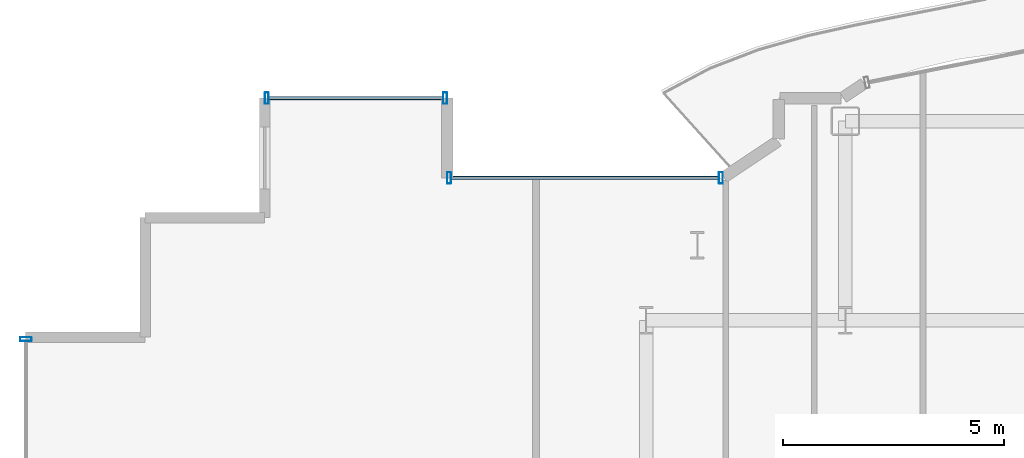
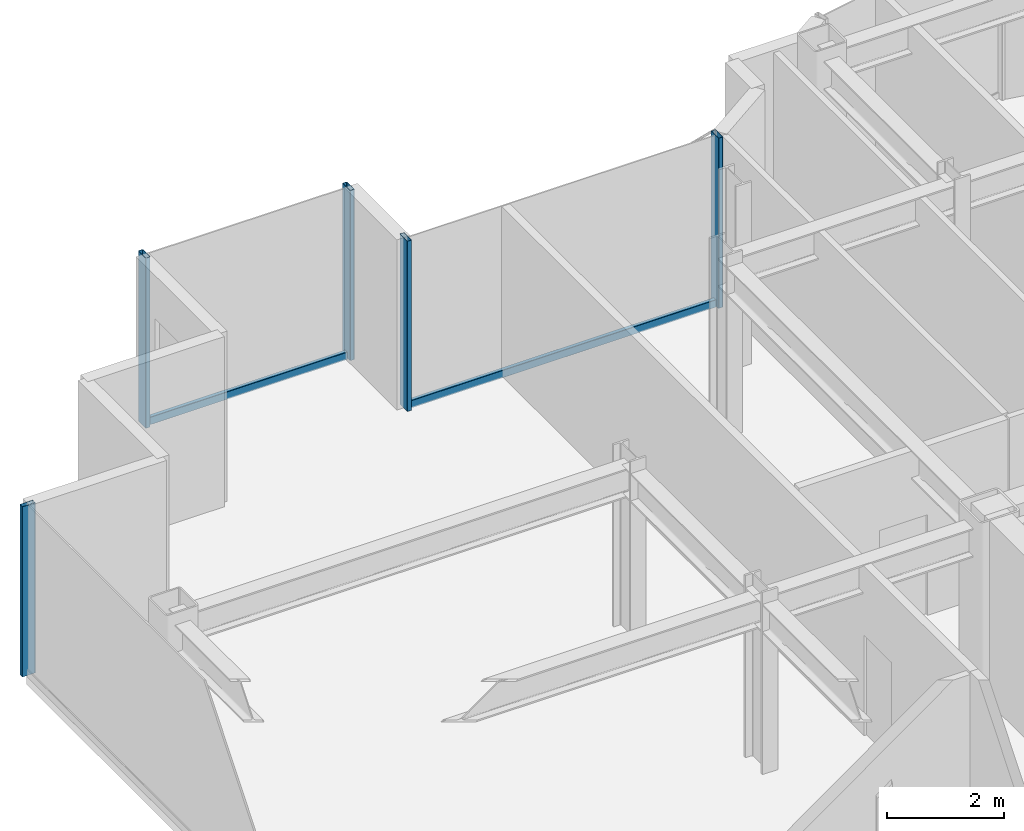
# One storey, part 9 of 18: 7 members, 3 elements without a shape of their own.
"""IFC4 building model written with IfcOpenShell, lengths in metres."""

from ifc_helpers import new_model, si_unit, direction, frame, origin, origin_2d, place, context, subcontext, project, spatial, hollow_rectangle, extrude, source, transform, mapped, material, layer, layer_set, material_profile, profile_set, type_object, element, aggregate, save


model = new_model("IFC4")

# Units and contexts
model_context = context("Model", 3, precision=1e-05, world=origin(), true_north=direction((0.0, 1.0)))
body_context = subcontext(model_context, "Body", "Model", "MODEL_VIEW")
ifc_project = project(units=[si_unit("LENGTHUNIT", "METRE"), si_unit("AREAUNIT", "SQUARE_METRE"), si_unit("VOLUMEUNIT", "CUBIC_METRE"), si_unit("PLANEANGLEUNIT", "RADIAN"), si_unit("MASSUNIT", "GRAM", prefix="KILO")], contexts=[model_context])

# Site, building, storey
site_placement = place(None, origin())
site = spatial("IfcSite", under=ifc_project, at=site_placement, CompositionType="ELEMENT")
building_placement = place(site_placement, origin())
building = spatial("IfcBuilding", under=site, at=building_placement, Name="Nefas-Gora Pilgrimage Tower", CompositionType="ELEMENT")
storey_placement = place(building_placement, frame((0.0, 0.0, 272.199951171875)))
storey = spatial("IfcBuildingStorey", under=building, at=storey_placement, Name="L68", CompositionType="ELEMENT", Elevation=272.199951171875)

# Curtain wall, members
ifc_material_1 = material(Name="Dark ceramic-fritted solar-control aluminium-glass curtain wall", Category="aluminium")
ifc_layer_1 = layer(ifc_material_1, 0.219970703125)
ifc_layer_set_1 = layer_set([ifc_layer_1], Name="Dark ceramic-fritted solar-control aluminium-glass curtain wall")
curtain_wall_type_1 = type_object("IfcCurtainWallType", Name="CW-SYS-5", PredefinedType="NOTDEFINED", material=ifc_layer_set_1)
curtain_wall_1_placement = place(storey_placement, origin())
curtain_wall_1 = element("IfcCurtainWall", 1, at=curtain_wall_1_placement, inside=storey, type_object=curtain_wall_type_1, Name="L68 Unitised Curtain Wall CW5", PredefinedType="NOTDEFINED")
ifc_material_2 = material(Name="Anodised architectural aluminium", Category="aluminium")
ifc_material_profile_1 = material_profile(ifc_material_2, hollow_rectangle(XDim=0.090087890625, YDim=0.260009765625, WallThickness=0.006103515625, InnerFilletRadius=0.006103515625, OuterFilletRadius=0.011962890625, at=origin_2d()), Name="ALU MULLION 90x260")
ifc_profile_set_1 = profile_set([ifc_material_profile_1], Name="Anodised architectural aluminium")
member_type_1 = type_object("IfcMemberType", Name="CWM-MUL-5", PredefinedType="MULLION", material=ifc_profile_set_1)
shared_shape_1 = source(origin(), body_context, "Body", "SweptSolid", [
    extrude(hollow_rectangle(XDim=0.090087890625, YDim=0.260009765625, WallThickness=0.006103515625, InnerFilletRadius=0.006103515625, OuterFilletRadius=0.011962890625, at=origin_2d()), origin(), (0.0, 0.0, 1.0), 3.550048828125),
])
member_1_placement = place(storey_placement, frame((-9.56298828125, 21.219970703125, 0.0), z_axis=(0.0, 0.0, 1.0), x_axis=(-1.0, 0.0, 0.0)))
member_1 = element("IfcMember", 2, at=member_1_placement, type_object=member_type_1, Name="CW5 Mullion 1", PredefinedType="MULLION", context=body_context, shape_type="MappedRepresentation", body=[
    mapped(shared_shape_1, transform((0.0, 0.0, 0.0), x_axis=(1.0, 0.0, 0.0), y_axis=(0.0, 1.0, 0.0), z_axis=(0.0, 0.0, 1.0), scale=1.0)),
])
member_2_placement = place(storey_placement, frame((-15.705078125, 21.219970703125, 0.0), z_axis=(0.0, 0.0, 1.0), x_axis=(-1.0, 0.0, 0.0)))
member_2 = element("IfcMember", 3, at=member_2_placement, type_object=member_type_1, Name="CW5 Mullion 2", PredefinedType="MULLION", context=body_context, shape_type="MappedRepresentation", body=[
    mapped(shared_shape_1, transform((0.0, 0.0, 0.0), x_axis=(1.0, 0.0, 0.0), y_axis=(0.0, 1.0, 0.0), z_axis=(0.0, 0.0, 1.0), scale=1.0)),
])
ifc_material_profile_2 = material_profile(ifc_material_2, hollow_rectangle(XDim=0.080078125, YDim=0.159912109375, WallThickness=0.00439453125, InnerFilletRadius=0.00439453125, OuterFilletRadius=0.009033203125, at=origin_2d()), Name="ALU TRANSOM 80x160")
ifc_profile_set_2 = profile_set([ifc_material_profile_2], Name="Anodised architectural aluminium")
member_type_2 = type_object("IfcMemberType", Name="CWM-TRN-5", PredefinedType="USERDEFINED", material=ifc_profile_set_2)
shared_shape_2 = source(origin(), body_context, "Body", "SweptSolid", [
    extrude(hollow_rectangle(XDim=0.080078125, YDim=0.159912109375, WallThickness=0.00439453125, InnerFilletRadius=0.00439453125, OuterFilletRadius=0.009033203125, at=origin_2d()), origin(), (0.0, 0.0, 1.0), 6.052001953125),
])
member_3_placement = place(storey_placement, frame((-9.60791015625, 21.219970703125, 0.050048828125), z_axis=(-1.0, 0.0, 0.0), x_axis=(0.0, -1.0, 0.0)))
member_3 = element("IfcMember", 4, at=member_3_placement, type_object=member_type_2, Name="CW5 Spandrel Transom", ObjectType="TRANSOM", PredefinedType="USERDEFINED", context=body_context, shape_type="MappedRepresentation", body=[
    mapped(shared_shape_2, transform((0.0, 0.0, 0.0), x_axis=(1.0, 0.0, 0.0), y_axis=(0.0, 1.0, 0.0), z_axis=(0.0, 0.0, 1.0), scale=1.0)),
])
aggregate(curtain_wall_1, [member_1, member_2, member_3])

ifc_layer_2 = layer(ifc_material_1, 0.219970703125)
ifc_layer_set_2 = layer_set([ifc_layer_2], Name="Dark ceramic-fritted solar-control aluminium-glass curtain wall")
curtain_wall_type_2 = type_object("IfcCurtainWallType", Name="CW-SYS-4", PredefinedType="NOTDEFINED", material=ifc_layer_set_2)
curtain_wall_2_placement = place(storey_placement, origin())
curtain_wall_2 = element("IfcCurtainWall", 5, at=curtain_wall_2_placement, inside=storey, type_object=curtain_wall_type_2, Name="L68 Unitised Curtain Wall CW4", PredefinedType="NOTDEFINED")
ifc_material_profile_3 = material_profile(ifc_material_2, hollow_rectangle(XDim=0.080078125, YDim=0.159912109375, WallThickness=0.00439453125, InnerFilletRadius=0.00439453125, OuterFilletRadius=0.009033203125, at=origin_2d()), Name="ALU TRANSOM 80x160")
ifc_profile_set_3 = profile_set([ifc_material_profile_3], Name="Anodised architectural aluminium")
member_type_3 = type_object("IfcMemberType", Name="CWM-TRN-4", PredefinedType="USERDEFINED", material=ifc_profile_set_3)
shared_shape_3 = source(origin(), body_context, "Body", "SweptSolid", [
    extrude(hollow_rectangle(XDim=0.080078125, YDim=0.159912109375, WallThickness=0.00439453125, InnerFilletRadius=0.00439453125, OuterFilletRadius=0.009033203125, at=origin_2d()), origin(), (0.0, 0.0, 1.0), 3.93994140625),
])
member_4_placement = place(storey_placement, frame((-15.840087890625, 23.02001953125, 0.050048828125), z_axis=(-1.0, 0.0, 0.0), x_axis=(0.0, -1.0, 0.0)))
member_4 = element("IfcMember", 6, at=member_4_placement, type_object=member_type_3, Name="CW4 Spandrel Transom", ObjectType="TRANSOM", PredefinedType="USERDEFINED", context=body_context, shape_type="MappedRepresentation", body=[
    mapped(shared_shape_3, transform((0.0, 0.0, 0.0), x_axis=(1.0, 0.0, 0.0), y_axis=(0.0, 1.0, 0.0), z_axis=(0.0, 0.0, 1.0), scale=1.0)),
])
ifc_material_profile_4 = material_profile(ifc_material_2, hollow_rectangle(XDim=0.090087890625, YDim=0.260009765625, WallThickness=0.006103515625, InnerFilletRadius=0.006103515625, OuterFilletRadius=0.011962890625, at=origin_2d()), Name="ALU MULLION 90x260")
ifc_profile_set_4 = profile_set([ifc_material_profile_4], Name="Anodised architectural aluminium")
member_type_4 = type_object("IfcMemberType", Name="CWM-MUL-4", PredefinedType="MULLION", material=ifc_profile_set_4)
shared_shape_4 = source(origin(), body_context, "Body", "SweptSolid", [
    extrude(hollow_rectangle(XDim=0.090087890625, YDim=0.260009765625, WallThickness=0.006103515625, InnerFilletRadius=0.006103515625, OuterFilletRadius=0.011962890625, at=origin_2d()), origin(), (0.0, 0.0, 1.0), 3.550048828125),
])
member_5_placement = place(storey_placement, frame((-15.794921875, 23.02001953125, 0.0), z_axis=(0.0, 0.0, 1.0), x_axis=(-1.0, 0.0, 0.0)))
member_5 = element("IfcMember", 7, at=member_5_placement, type_object=member_type_4, Name="CW4 Mullion 1", PredefinedType="MULLION", context=body_context, shape_type="MappedRepresentation", body=[
    mapped(shared_shape_4, transform((0.0, 0.0, 0.0), x_axis=(1.0, 0.0, 0.0), y_axis=(0.0, 1.0, 0.0), z_axis=(0.0, 0.0, 1.0), scale=1.0)),
])
member_6_placement = place(storey_placement, frame((-19.824951171875, 23.02001953125, 0.0), z_axis=(0.0, 0.0, 1.0), x_axis=(-1.0, 0.0, 0.0)))
member_6 = element("IfcMember", 8, at=member_6_placement, type_object=member_type_4, Name="CW4 Mullion 2", PredefinedType="MULLION", context=body_context, shape_type="MappedRepresentation", body=[
    mapped(shared_shape_4, transform((0.0, 0.0, 0.0), x_axis=(1.0, 0.0, 0.0), y_axis=(0.0, 1.0, 0.0), z_axis=(0.0, 0.0, 1.0), scale=1.0)),
])
aggregate(curtain_wall_2, [member_5, member_6, member_4])

# Curtain wall, member
curtain_wall_3_placement = place(storey_placement, origin())
curtain_wall_3 = element("IfcCurtainWall", 9, at=curtain_wall_3_placement, inside=storey, type_object=curtain_wall_type_2, Name="L68 Unitised Curtain Wall CW4", PredefinedType="NOTDEFINED")
member_7_placement = place(storey_placement, frame((-25.27001953125, 17.574951171875, 0.0), z_axis=(0.0, 0.0, 1.0), x_axis=(0.0, -1.0, 0.0)))
member_7 = element("IfcMember", 10, at=member_7_placement, type_object=member_type_4, Name="CW4 Mullion 1", PredefinedType="MULLION", context=body_context, shape_type="MappedRepresentation", body=[
    mapped(shared_shape_4, transform((0.0, 0.0, 0.0), x_axis=(1.0, 0.0, 0.0), y_axis=(0.0, 1.0, 0.0), z_axis=(0.0, 0.0, 1.0), scale=1.0)),
])
aggregate(curtain_wall_3, [member_7])

save(model, "model.ifc")
